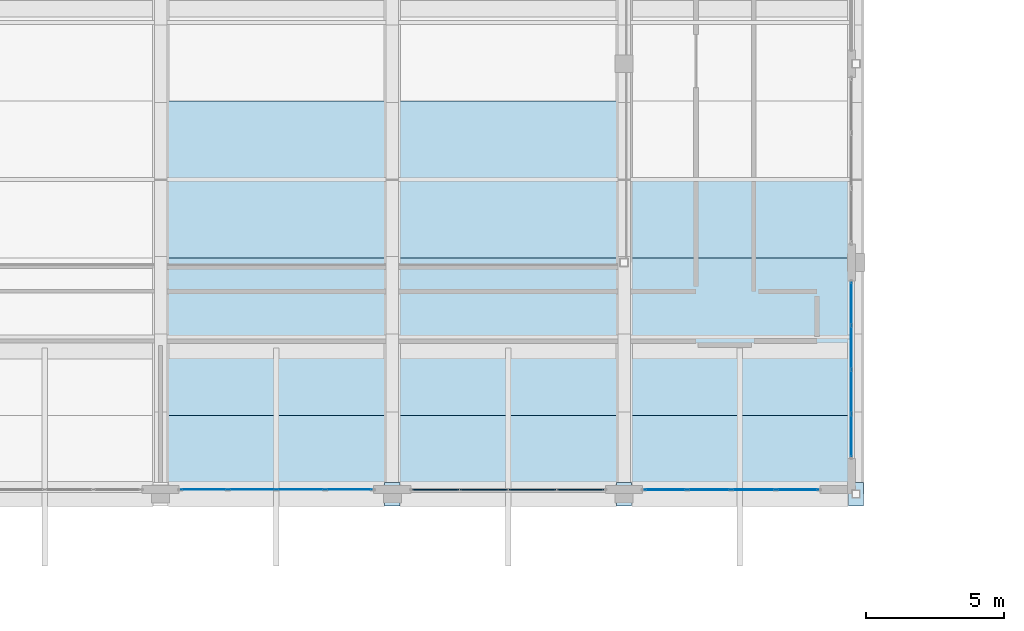
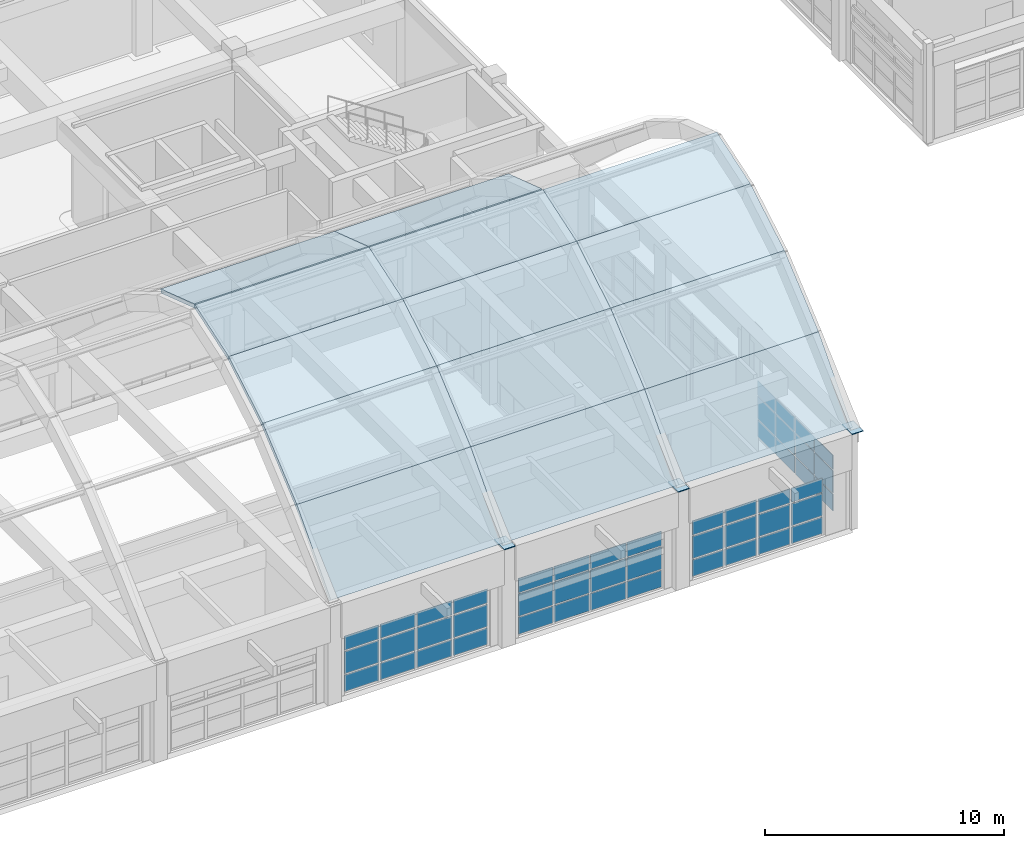
# One storey, part 76 of 103: 51 plates, 14 slabs, 4 elements without a shape of their own.
"""IFC4 building model written with IfcOpenShell, lengths in metres."""

from ifc_helpers import new_model, si_unit, direction, frame, origin, origin_2d, place, context, subcontext, project, spatial, polyline, rectangle, outline, extrude, material, layer, layer_set, type_object, element, aggregate, save


model = new_model("IFC4")

# Units and contexts
model_context = context("Model", 3, precision=1e-05, world=origin(), true_north=direction((0.0, 1.0)))
body_context = subcontext(model_context, "Body", "Model", "MODEL_VIEW")
ifc_project = project(units=[si_unit("LENGTHUNIT", "METRE"), si_unit("AREAUNIT", "SQUARE_METRE"), si_unit("VOLUMEUNIT", "CUBIC_METRE"), si_unit("PLANEANGLEUNIT", "RADIAN"), si_unit("MASSUNIT", "GRAM", prefix="KILO")], contexts=[model_context])

# Site, building, storey
site_placement = place(None, origin())
site = spatial("IfcSite", under=ifc_project, at=site_placement, CompositionType="ELEMENT")
building_placement = place(site_placement, origin())
building = spatial("IfcBuilding", under=site, at=building_placement, Name="Quendrovan Civic Courthouse", CompositionType="ELEMENT")
storey_placement = place(building_placement, frame((0.0, 0.0, 15.300048828125)))
storey = spatial("IfcBuildingStorey", under=building, at=storey_placement, Name="L04", CompositionType="ELEMENT", Elevation=15.300048828125)

# Curtain wall, plates
ifc_material_1 = material(Name="Bronze anodised aluminium and low-E glass", Category="aluminium")
ifc_layer_1 = layer(ifc_material_1, 0.179931640625, Name="Bronze anodised aluminium and low-E glass")
ifc_layer_set_1 = layer_set([ifc_layer_1], Name="Bronze anodised aluminium and low-E glass")
curtain_wall_type_1 = type_object("IfcCurtainWallType", Name="CW-U70x30", PredefinedType="USERDEFINED", material=ifc_layer_set_1)
curtain_wall_1_placement = place(storey_placement, origin())
curtain_wall_1 = element("IfcCurtainWall", 1, at=curtain_wall_1_placement, inside=storey, type_object=curtain_wall_type_1, Name="L04 Unitised Hurricane Curtain Wall CW-160", ObjectType="UNITISED CURTAIN WALL", PredefinedType="USERDEFINED")
ifc_material_2 = material(Name="Laminated hurricane-impact low-E glass", Category="glass")
ifc_layer_2 = layer(ifc_material_2, 0.028076171875, Name="Laminated hurricane-impact low-E glass")
ifc_layer_set_2 = layer_set([ifc_layer_2], Name="Laminated hurricane-impact low-E glass")
plate_type_1 = type_object("IfcPlateType", Name="CW-PNL-1", PredefinedType="CURTAIN_PANEL", material=ifc_layer_set_2)
plate_1_placement = place(storey_placement, frame((74.0263671875, 64.965087890625, 0.06982421875), z_axis=(0.0, 0.0, 1.0), x_axis=(-1.0, 0.0, 0.0)))
plate_1 = element("IfcPlate", 2, at=plate_1_placement, type_object=plate_type_1, Name="CW-160 panel 1.1", PredefinedType="CURTAIN_PANEL", context=body_context, shape_type="SweptSolid", body=[
    extrude(rectangle(XDim=1.657470703125, YDim=0.028076171875, at=origin_2d()), origin(), (0.0, 0.0, 1.0), 0.844970703125),
])
plate_2_placement = place(storey_placement, frame((74.0263671875, 64.965087890625, 0.985107421875), z_axis=(0.0, 0.0, 1.0), x_axis=(-1.0, 0.0, 0.0)))
plate_2 = element("IfcPlate", 3, at=plate_2_placement, type_object=plate_type_1, Name="CW-160 panel 1.2", PredefinedType="CURTAIN_PANEL", context=body_context, shape_type="SweptSolid", body=[
    extrude(rectangle(XDim=1.657470703125, YDim=0.028076171875, at=origin_2d()), origin(), (0.0, 0.0, 1.0), 1.1298828125),
])
plate_3_placement = place(storey_placement, frame((74.0263671875, 64.965087890625, 2.18505859375), z_axis=(0.0, 0.0, 1.0), x_axis=(-1.0, 0.0, 0.0)))
plate_3 = element("IfcPlate", 4, at=plate_3_placement, type_object=plate_type_1, Name="CW-160 panel 1.3", PredefinedType="CURTAIN_PANEL", context=body_context, shape_type="SweptSolid", body=[
    extrude(rectangle(XDim=1.657470703125, YDim=0.028076171875, at=origin_2d()), origin(), (0.0, 0.0, 1.0), 0.715087890625),
])
plate_4_placement = place(storey_placement, frame((72.28125, 64.965087890625, 0.06982421875), z_axis=(0.0, 0.0, 1.0), x_axis=(-1.0, 0.0, 0.0)))
plate_4 = element("IfcPlate", 5, at=plate_4_placement, type_object=plate_type_1, Name="CW-160 panel 2.1", PredefinedType="CURTAIN_PANEL", context=body_context, shape_type="SweptSolid", body=[
    extrude(rectangle(XDim=1.6923828125, YDim=0.028076171875, at=origin_2d()), origin(), (0.0, 0.0, 1.0), 0.844970703125),
])
plate_5_placement = place(storey_placement, frame((72.28125, 64.965087890625, 0.985107421875), z_axis=(0.0, 0.0, 1.0), x_axis=(-1.0, 0.0, 0.0)))
plate_5 = element("IfcPlate", 6, at=plate_5_placement, type_object=plate_type_1, Name="CW-160 panel 2.2", PredefinedType="CURTAIN_PANEL", context=body_context, shape_type="SweptSolid", body=[
    extrude(rectangle(XDim=1.6923828125, YDim=0.028076171875, at=origin_2d()), origin(), (0.0, 0.0, 1.0), 1.1298828125),
])
plate_6_placement = place(storey_placement, frame((72.28125, 64.965087890625, 2.18505859375), z_axis=(0.0, 0.0, 1.0), x_axis=(-1.0, 0.0, 0.0)))
plate_6 = element("IfcPlate", 7, at=plate_6_placement, type_object=plate_type_1, Name="CW-160 panel 2.3", PredefinedType="CURTAIN_PANEL", context=body_context, shape_type="SweptSolid", body=[
    extrude(rectangle(XDim=1.6923828125, YDim=0.028076171875, at=origin_2d()), origin(), (0.0, 0.0, 1.0), 0.715087890625),
])
plate_7_placement = place(storey_placement, frame((70.518798828125, 64.965087890625, 0.06982421875), z_axis=(0.0, 0.0, 1.0), x_axis=(-1.0, 0.0, 0.0)))
plate_7 = element("IfcPlate", 8, at=plate_7_placement, type_object=plate_type_1, Name="CW-160 panel 3.1", PredefinedType="CURTAIN_PANEL", context=body_context, shape_type="SweptSolid", body=[
    extrude(rectangle(XDim=1.6923828125, YDim=0.028076171875, at=origin_2d()), origin(), (0.0, 0.0, 1.0), 0.844970703125),
])
plate_8_placement = place(storey_placement, frame((70.518798828125, 64.965087890625, 0.985107421875), z_axis=(0.0, 0.0, 1.0), x_axis=(-1.0, 0.0, 0.0)))
plate_8 = element("IfcPlate", 9, at=plate_8_placement, type_object=plate_type_1, Name="CW-160 panel 3.2", PredefinedType="CURTAIN_PANEL", context=body_context, shape_type="SweptSolid", body=[
    extrude(rectangle(XDim=1.6923828125, YDim=0.028076171875, at=origin_2d()), origin(), (0.0, 0.0, 1.0), 1.1298828125),
])
plate_9_placement = place(storey_placement, frame((70.518798828125, 64.965087890625, 2.18505859375), z_axis=(0.0, 0.0, 1.0), x_axis=(-1.0, 0.0, 0.0)))
plate_9 = element("IfcPlate", 10, at=plate_9_placement, type_object=plate_type_1, Name="CW-160 panel 3.3", PredefinedType="CURTAIN_PANEL", context=body_context, shape_type="SweptSolid", body=[
    extrude(rectangle(XDim=1.6923828125, YDim=0.028076171875, at=origin_2d()), origin(), (0.0, 0.0, 1.0), 0.715087890625),
])
plate_10_placement = place(storey_placement, frame((68.773681640625, 64.965087890625, 0.06982421875), z_axis=(0.0, 0.0, 1.0), x_axis=(-1.0, 0.0, 0.0)))
plate_10 = element("IfcPlate", 11, at=plate_10_placement, type_object=plate_type_1, Name="CW-160 panel 4.1", PredefinedType="CURTAIN_PANEL", context=body_context, shape_type="SweptSolid", body=[
    extrude(rectangle(XDim=1.657470703125, YDim=0.028076171875, at=origin_2d()), origin(), (0.0, 0.0, 1.0), 0.844970703125),
])
plate_11_placement = place(storey_placement, frame((68.773681640625, 64.965087890625, 0.985107421875), z_axis=(0.0, 0.0, 1.0), x_axis=(-1.0, 0.0, 0.0)))
plate_11 = element("IfcPlate", 12, at=plate_11_placement, type_object=plate_type_1, Name="CW-160 panel 4.2", PredefinedType="CURTAIN_PANEL", context=body_context, shape_type="SweptSolid", body=[
    extrude(rectangle(XDim=1.657470703125, YDim=0.028076171875, at=origin_2d()), origin(), (0.0, 0.0, 1.0), 1.1298828125),
])
plate_12_placement = place(storey_placement, frame((68.773681640625, 64.965087890625, 2.18505859375), z_axis=(0.0, 0.0, 1.0), x_axis=(-1.0, 0.0, 0.0)))
plate_12 = element("IfcPlate", 13, at=plate_12_placement, type_object=plate_type_1, Name="CW-160 panel 4.3", PredefinedType="CURTAIN_PANEL", context=body_context, shape_type="SweptSolid", body=[
    extrude(rectangle(XDim=1.657470703125, YDim=0.028076171875, at=origin_2d()), origin(), (0.0, 0.0, 1.0), 0.715087890625),
])
aggregate(curtain_wall_1, [plate_1, plate_2, plate_3, plate_4, plate_5, plate_6, plate_7, plate_8, plate_9, plate_10, plate_11, plate_12])

ifc_layer_3 = layer(ifc_material_1, 0.179931640625, Name="Bronze anodised aluminium and low-E glass")
ifc_layer_set_3 = layer_set([ifc_layer_3], Name="Bronze anodised aluminium and low-E glass")
curtain_wall_type_2 = type_object("IfcCurtainWallType", Name="CW-U64x30", PredefinedType="USERDEFINED", material=ifc_layer_set_3)
curtain_wall_2_placement = place(storey_placement, origin())
curtain_wall_2 = element("IfcCurtainWall", 14, at=curtain_wall_2_placement, inside=storey, type_object=curtain_wall_type_2, Name="L04 Unitised Hurricane Curtain Wall CW-157", ObjectType="UNITISED CURTAIN WALL", PredefinedType="USERDEFINED")
ifc_layer_4 = layer(ifc_material_2, 0.031982421875, Name="Laminated hurricane-impact low-E glass")
ifc_layer_set_4 = layer_set([ifc_layer_4], Name="Laminated hurricane-impact low-E glass")
plate_type_2 = type_object("IfcPlateType", Name="CW-PNL-2", PredefinedType="CURTAIN_PANEL", material=ifc_layer_set_4)
plate_13_placement = place(storey_placement, frame((92.235107421875, 71.70556640625, 0.06494140625), z_axis=(0.0, 0.0, 1.0), x_axis=(0.0, -1.0, 0.0)))
plate_13 = element("IfcPlate", 15, at=plate_13_placement, type_object=plate_type_2, Name="CW-157 panel 1.1", PredefinedType="CURTAIN_PANEL", context=body_context, shape_type="SweptSolid", body=[
    extrude(rectangle(XDim=1.5087890625, YDim=0.031982421875, at=origin_2d()), origin(), (0.0, 0.0, 1.0), 0.8525390625),
])
plate_14_placement = place(storey_placement, frame((92.235107421875, 71.70556640625, 0.982421875), z_axis=(0.0, 0.0, 1.0), x_axis=(0.0, -1.0, 0.0)))
plate_14 = element("IfcPlate", 16, at=plate_14_placement, type_object=plate_type_2, Name="CW-157 panel 1.2", PredefinedType="CURTAIN_PANEL", context=body_context, shape_type="SweptSolid", body=[
    extrude(rectangle(XDim=1.5087890625, YDim=0.031982421875, at=origin_2d()), origin(), (0.0, 0.0, 1.0), 1.135009765625),
])
plate_15_placement = place(storey_placement, frame((92.235107421875, 71.70556640625, 2.1826171875), z_axis=(0.0, 0.0, 1.0), x_axis=(0.0, -1.0, 0.0)))
plate_15 = element("IfcPlate", 17, at=plate_15_placement, type_object=plate_type_2, Name="CW-157 panel 1.3", PredefinedType="CURTAIN_PANEL", context=body_context, shape_type="SweptSolid", body=[
    extrude(rectangle(XDim=1.5087890625, YDim=0.031982421875, at=origin_2d()), origin(), (0.0, 0.0, 1.0), 0.722412109375),
])
plate_16_placement = place(storey_placement, frame((92.235107421875, 70.11572265625, 0.06494140625), z_axis=(0.0, 0.0, 1.0), x_axis=(0.0, -1.0, 0.0)))
plate_16 = element("IfcPlate", 18, at=plate_16_placement, type_object=plate_type_2, Name="CW-157 panel 2.1", PredefinedType="CURTAIN_PANEL", context=body_context, shape_type="SweptSolid", body=[
    extrude(rectangle(XDim=1.541259765625, YDim=0.031982421875, at=origin_2d()), origin(), (0.0, 0.0, 1.0), 0.8525390625),
])
plate_17_placement = place(storey_placement, frame((92.235107421875, 70.11572265625, 0.982421875), z_axis=(0.0, 0.0, 1.0), x_axis=(0.0, -1.0, 0.0)))
plate_17 = element("IfcPlate", 19, at=plate_17_placement, type_object=plate_type_2, Name="CW-157 panel 2.2", PredefinedType="CURTAIN_PANEL", context=body_context, shape_type="SweptSolid", body=[
    extrude(rectangle(XDim=1.541259765625, YDim=0.031982421875, at=origin_2d()), origin(), (0.0, 0.0, 1.0), 1.135009765625),
])
plate_18_placement = place(storey_placement, frame((92.235107421875, 70.11572265625, 2.1826171875), z_axis=(0.0, 0.0, 1.0), x_axis=(0.0, -1.0, 0.0)))
plate_18 = element("IfcPlate", 20, at=plate_18_placement, type_object=plate_type_2, Name="CW-157 panel 2.3", PredefinedType="CURTAIN_PANEL", context=body_context, shape_type="SweptSolid", body=[
    extrude(rectangle(XDim=1.541259765625, YDim=0.031982421875, at=origin_2d()), origin(), (0.0, 0.0, 1.0), 0.722412109375),
])
plate_19_placement = place(storey_placement, frame((92.235107421875, 68.50927734375, 0.06494140625), z_axis=(0.0, 0.0, 1.0), x_axis=(0.0, -1.0, 0.0)))
plate_19 = element("IfcPlate", 21, at=plate_19_placement, type_object=plate_type_2, Name="CW-157 panel 3.1", PredefinedType="CURTAIN_PANEL", context=body_context, shape_type="SweptSolid", body=[
    extrude(rectangle(XDim=1.541259765625, YDim=0.031982421875, at=origin_2d()), origin(), (0.0, 0.0, 1.0), 0.8525390625),
])
plate_20_placement = place(storey_placement, frame((92.235107421875, 68.50927734375, 0.982421875), z_axis=(0.0, 0.0, 1.0), x_axis=(0.0, -1.0, 0.0)))
plate_20 = element("IfcPlate", 22, at=plate_20_placement, type_object=plate_type_2, Name="CW-157 panel 3.2", PredefinedType="CURTAIN_PANEL", context=body_context, shape_type="SweptSolid", body=[
    extrude(rectangle(XDim=1.541259765625, YDim=0.031982421875, at=origin_2d()), origin(), (0.0, 0.0, 1.0), 1.135009765625),
])
plate_21_placement = place(storey_placement, frame((92.235107421875, 68.50927734375, 2.1826171875), z_axis=(0.0, 0.0, 1.0), x_axis=(0.0, -1.0, 0.0)))
plate_21 = element("IfcPlate", 23, at=plate_21_placement, type_object=plate_type_2, Name="CW-157 panel 3.3", PredefinedType="CURTAIN_PANEL", context=body_context, shape_type="SweptSolid", body=[
    extrude(rectangle(XDim=1.541259765625, YDim=0.031982421875, at=origin_2d()), origin(), (0.0, 0.0, 1.0), 0.722412109375),
])
plate_22_placement = place(storey_placement, frame((92.235107421875, 66.91943359375, 0.06494140625), z_axis=(0.0, 0.0, 1.0), x_axis=(0.0, -1.0, 0.0)))
plate_22 = element("IfcPlate", 24, at=plate_22_placement, type_object=plate_type_2, Name="CW-157 panel 4.1", PredefinedType="CURTAIN_PANEL", context=body_context, shape_type="SweptSolid", body=[
    extrude(rectangle(XDim=1.5087890625, YDim=0.031982421875, at=origin_2d()), origin(), (0.0, 0.0, 1.0), 0.8525390625),
])
plate_23_placement = place(storey_placement, frame((92.235107421875, 66.91943359375, 0.982421875), z_axis=(0.0, 0.0, 1.0), x_axis=(0.0, -1.0, 0.0)))
plate_23 = element("IfcPlate", 25, at=plate_23_placement, type_object=plate_type_2, Name="CW-157 panel 4.2", PredefinedType="CURTAIN_PANEL", context=body_context, shape_type="SweptSolid", body=[
    extrude(rectangle(XDim=1.5087890625, YDim=0.031982421875, at=origin_2d()), origin(), (0.0, 0.0, 1.0), 1.135009765625),
])
plate_24_placement = place(storey_placement, frame((92.235107421875, 66.91943359375, 2.1826171875), z_axis=(0.0, 0.0, 1.0), x_axis=(0.0, -1.0, 0.0)))
plate_24 = element("IfcPlate", 26, at=plate_24_placement, type_object=plate_type_2, Name="CW-157 panel 4.3", PredefinedType="CURTAIN_PANEL", context=body_context, shape_type="SweptSolid", body=[
    extrude(rectangle(XDim=1.5087890625, YDim=0.031982421875, at=origin_2d()), origin(), (0.0, 0.0, 1.0), 0.722412109375),
])
aggregate(curtain_wall_2, [plate_13, plate_14, plate_15, plate_16, plate_17, plate_18, plate_19, plate_20, plate_21, plate_22, plate_23, plate_24])

curtain_wall_3_placement = place(storey_placement, origin())
curtain_wall_3 = element("IfcCurtainWall", 27, at=curtain_wall_3_placement, inside=storey, type_object=curtain_wall_type_2, Name="L04 Unitised Hurricane Curtain Wall CW-158", ObjectType="UNITISED CURTAIN WALL", PredefinedType="USERDEFINED")
ifc_layer_5 = layer(ifc_material_2, 0.035888671875, Name="Laminated hurricane-impact low-E glass")
ifc_layer_set_5 = layer_set([ifc_layer_5], Name="Laminated hurricane-impact low-E glass")
plate_type_3 = type_object("IfcPlateType", Name="CW-PNL-3", PredefinedType="CURTAIN_PANEL", material=ifc_layer_set_5)
plate_25_placement = place(storey_placement, frame((90.279296875, 64.965087890625, 0.06982421875), z_axis=(0.0, 0.0, 1.0), x_axis=(-1.0, 0.0, 0.0)))
plate_25 = element("IfcPlate", 28, at=plate_25_placement, type_object=plate_type_3, Name="CW-158 panel 1.1", PredefinedType="CURTAIN_PANEL", context=body_context, shape_type="SweptSolid", body=[
    extrude(rectangle(XDim=1.501220703125, YDim=0.035888671875, at=origin_2d()), origin(), (0.0, 0.0, 1.0), 0.844970703125),
])
plate_26_placement = place(storey_placement, frame((90.279296875, 64.965087890625, 0.985107421875), z_axis=(0.0, 0.0, 1.0), x_axis=(-1.0, 0.0, 0.0)))
plate_26 = element("IfcPlate", 29, at=plate_26_placement, type_object=plate_type_3, Name="CW-158 panel 1.2", PredefinedType="CURTAIN_PANEL", context=body_context, shape_type="SweptSolid", body=[
    extrude(rectangle(XDim=1.501220703125, YDim=0.035888671875, at=origin_2d()), origin(), (0.0, 0.0, 1.0), 1.1298828125),
])
plate_27_placement = place(storey_placement, frame((90.279296875, 64.965087890625, 2.18505859375), z_axis=(0.0, 0.0, 1.0), x_axis=(-1.0, 0.0, 0.0)))
plate_27 = element("IfcPlate", 30, at=plate_27_placement, type_object=plate_type_3, Name="CW-158 panel 1.3", PredefinedType="CURTAIN_PANEL", context=body_context, shape_type="SweptSolid", body=[
    extrude(rectangle(XDim=1.501220703125, YDim=0.035888671875, at=origin_2d()), origin(), (0.0, 0.0, 1.0), 0.715087890625),
])
plate_28_placement = place(storey_placement, frame((88.690673828125, 64.965087890625, 0.06982421875), z_axis=(0.0, 0.0, 1.0), x_axis=(-1.0, 0.0, 0.0)))
plate_28 = element("IfcPlate", 31, at=plate_28_placement, type_object=plate_type_3, Name="CW-158 panel 2.1", PredefinedType="CURTAIN_PANEL", context=body_context, shape_type="SweptSolid", body=[
    extrude(rectangle(XDim=1.5361328125, YDim=0.035888671875, at=origin_2d()), origin(), (0.0, 0.0, 1.0), 0.844970703125),
])
plate_29_placement = place(storey_placement, frame((88.690673828125, 64.965087890625, 0.985107421875), z_axis=(0.0, 0.0, 1.0), x_axis=(-1.0, 0.0, 0.0)))
plate_29 = element("IfcPlate", 32, at=plate_29_placement, type_object=plate_type_3, Name="CW-158 panel 2.2", PredefinedType="CURTAIN_PANEL", context=body_context, shape_type="SweptSolid", body=[
    extrude(rectangle(XDim=1.5361328125, YDim=0.035888671875, at=origin_2d()), origin(), (0.0, 0.0, 1.0), 1.1298828125),
])
plate_30_placement = place(storey_placement, frame((88.690673828125, 64.965087890625, 2.18505859375), z_axis=(0.0, 0.0, 1.0), x_axis=(-1.0, 0.0, 0.0)))
plate_30 = element("IfcPlate", 33, at=plate_30_placement, type_object=plate_type_3, Name="CW-158 panel 2.3", PredefinedType="CURTAIN_PANEL", context=body_context, shape_type="SweptSolid", body=[
    extrude(rectangle(XDim=1.5361328125, YDim=0.035888671875, at=origin_2d()), origin(), (0.0, 0.0, 1.0), 0.715087890625),
])
plate_31_placement = place(storey_placement, frame((87.08447265625, 64.965087890625, 0.06982421875), z_axis=(0.0, 0.0, 1.0), x_axis=(-1.0, 0.0, 0.0)))
plate_31 = element("IfcPlate", 34, at=plate_31_placement, type_object=plate_type_3, Name="CW-158 panel 3.1", PredefinedType="CURTAIN_PANEL", context=body_context, shape_type="SweptSolid", body=[
    extrude(rectangle(XDim=1.5361328125, YDim=0.035888671875, at=origin_2d()), origin(), (0.0, 0.0, 1.0), 0.844970703125),
])
plate_32_placement = place(storey_placement, frame((87.08447265625, 64.965087890625, 0.985107421875), z_axis=(0.0, 0.0, 1.0), x_axis=(-1.0, 0.0, 0.0)))
plate_32 = element("IfcPlate", 35, at=plate_32_placement, type_object=plate_type_3, Name="CW-158 panel 3.2", PredefinedType="CURTAIN_PANEL", context=body_context, shape_type="SweptSolid", body=[
    extrude(rectangle(XDim=1.5361328125, YDim=0.035888671875, at=origin_2d()), origin(), (0.0, 0.0, 1.0), 1.1298828125),
])
plate_33_placement = place(storey_placement, frame((87.08447265625, 64.965087890625, 2.18505859375), z_axis=(0.0, 0.0, 1.0), x_axis=(-1.0, 0.0, 0.0)))
plate_33 = element("IfcPlate", 36, at=plate_33_placement, type_object=plate_type_3, Name="CW-158 panel 3.3", PredefinedType="CURTAIN_PANEL", context=body_context, shape_type="SweptSolid", body=[
    extrude(rectangle(XDim=1.5361328125, YDim=0.035888671875, at=origin_2d()), origin(), (0.0, 0.0, 1.0), 0.715087890625),
])
plate_34_placement = place(storey_placement, frame((85.49560546875, 64.965087890625, 0.06982421875), z_axis=(0.0, 0.0, 1.0), x_axis=(-1.0, 0.0, 0.0)))
plate_34 = element("IfcPlate", 37, at=plate_34_placement, type_object=plate_type_3, Name="CW-158 panel 4.1", PredefinedType="CURTAIN_PANEL", context=body_context, shape_type="SweptSolid", body=[
    extrude(rectangle(XDim=1.501220703125, YDim=0.035888671875, at=origin_2d()), origin(), (0.0, 0.0, 1.0), 0.844970703125),
])
plate_35_placement = place(storey_placement, frame((85.49560546875, 64.965087890625, 0.985107421875), z_axis=(0.0, 0.0, 1.0), x_axis=(-1.0, 0.0, 0.0)))
plate_35 = element("IfcPlate", 38, at=plate_35_placement, type_object=plate_type_3, Name="CW-158 panel 4.2", PredefinedType="CURTAIN_PANEL", context=body_context, shape_type="SweptSolid", body=[
    extrude(rectangle(XDim=1.501220703125, YDim=0.035888671875, at=origin_2d()), origin(), (0.0, 0.0, 1.0), 1.1298828125),
])
plate_36_placement = place(storey_placement, frame((85.49560546875, 64.965087890625, 2.18505859375), z_axis=(0.0, 0.0, 1.0), x_axis=(-1.0, 0.0, 0.0)))
plate_36 = element("IfcPlate", 39, at=plate_36_placement, type_object=plate_type_3, Name="CW-158 panel 4.3", PredefinedType="CURTAIN_PANEL", context=body_context, shape_type="SweptSolid", body=[
    extrude(rectangle(XDim=1.501220703125, YDim=0.035888671875, at=origin_2d()), origin(), (0.0, 0.0, 1.0), 0.715087890625),
])
aggregate(curtain_wall_3, [plate_25, plate_26, plate_27, plate_28, plate_29, plate_30, plate_31, plate_32, plate_33, plate_34, plate_35, plate_36])

curtain_wall_4_placement = place(storey_placement, origin())
curtain_wall_4 = element("IfcCurtainWall", 40, at=curtain_wall_4_placement, inside=storey, type_object=curtain_wall_type_1, Name="L04 Unitised Hurricane Curtain Wall CW-159", ObjectType="UNITISED CURTAIN WALL", PredefinedType="USERDEFINED")
ifc_layer_6 = layer(ifc_material_2, 0.0419921875, Name="Laminated hurricane-impact low-E glass")
ifc_layer_set_6 = layer_set([ifc_layer_6], Name="Laminated hurricane-impact low-E glass")
plate_type_4 = type_object("IfcPlateType", Name="CW-PNL-4", PredefinedType="CURTAIN_PANEL", material=ifc_layer_set_6)
plate_37_placement = place(storey_placement, frame((82.427490234375, 64.965087890625, 0.06494140625), z_axis=(0.0, 0.0, 1.0), x_axis=(-1.0, 0.0, 0.0)))
plate_37 = element("IfcPlate", 41, at=plate_37_placement, type_object=plate_type_4, Name="CW-159 panel 1.1", PredefinedType="CURTAIN_PANEL", context=body_context, shape_type="SweptSolid", body=[
    extrude(rectangle(XDim=1.6650390625, YDim=0.0419921875, at=origin_2d()), origin(), (0.0, 0.0, 1.0), 0.8525390625),
])
plate_38_placement = place(storey_placement, frame((82.427490234375, 64.965087890625, 0.982421875), z_axis=(0.0, 0.0, 1.0), x_axis=(-1.0, 0.0, 0.0)))
plate_38 = element("IfcPlate", 42, at=plate_38_placement, type_object=plate_type_4, Name="CW-159 panel 1.2", PredefinedType="CURTAIN_PANEL", context=body_context, shape_type="SweptSolid", body=[
    extrude(rectangle(XDim=1.6650390625, YDim=0.0419921875, at=origin_2d()), origin(), (0.0, 0.0, 1.0), 1.135009765625),
])
plate_39_placement = place(storey_placement, frame((82.427490234375, 64.965087890625, 2.1826171875), z_axis=(0.0, 0.0, 1.0), x_axis=(-1.0, 0.0, 0.0)))
plate_39 = element("IfcPlate", 43, at=plate_39_placement, type_object=plate_type_4, Name="CW-159 panel 1.3", PredefinedType="CURTAIN_PANEL", context=body_context, shape_type="SweptSolid", body=[
    extrude(rectangle(XDim=1.6650390625, YDim=0.0419921875, at=origin_2d()), origin(), (0.0, 0.0, 1.0), 0.722412109375),
])
plate_40_placement = place(storey_placement, frame((80.68115234375, 64.965087890625, 0.06494140625), z_axis=(0.0, 0.0, 1.0), x_axis=(-1.0, 0.0, 0.0)))
plate_40 = element("IfcPlate", 44, at=plate_40_placement, type_object=plate_type_4, Name="CW-159 panel 2.1", PredefinedType="CURTAIN_PANEL", context=body_context, shape_type="SweptSolid", body=[
    extrude(rectangle(XDim=1.697509765625, YDim=0.0419921875, at=origin_2d()), origin(), (0.0, 0.0, 1.0), 0.8525390625),
])
plate_41_placement = place(storey_placement, frame((80.68115234375, 64.965087890625, 0.982421875), z_axis=(0.0, 0.0, 1.0), x_axis=(-1.0, 0.0, 0.0)))
plate_41 = element("IfcPlate", 45, at=plate_41_placement, type_object=plate_type_4, Name="CW-159 panel 2.2", PredefinedType="CURTAIN_PANEL", context=body_context, shape_type="SweptSolid", body=[
    extrude(rectangle(XDim=1.697509765625, YDim=0.0419921875, at=origin_2d()), origin(), (0.0, 0.0, 1.0), 1.135009765625),
])
plate_42_placement = place(storey_placement, frame((80.68115234375, 64.965087890625, 2.1826171875), z_axis=(0.0, 0.0, 1.0), x_axis=(-1.0, 0.0, 0.0)))
plate_42 = element("IfcPlate", 46, at=plate_42_placement, type_object=plate_type_4, Name="CW-159 panel 2.3", PredefinedType="CURTAIN_PANEL", context=body_context, shape_type="SweptSolid", body=[
    extrude(rectangle(XDim=1.697509765625, YDim=0.0419921875, at=origin_2d()), origin(), (0.0, 0.0, 1.0), 0.722412109375),
])
plate_43_placement = place(storey_placement, frame((78.918701171875, 64.965087890625, 0.06494140625), z_axis=(0.0, 0.0, 1.0), x_axis=(-1.0, 0.0, 0.0)))
plate_43 = element("IfcPlate", 47, at=plate_43_placement, type_object=plate_type_4, Name="CW-159 panel 3.1", PredefinedType="CURTAIN_PANEL", context=body_context, shape_type="SweptSolid", body=[
    extrude(rectangle(XDim=1.697509765625, YDim=0.0419921875, at=origin_2d()), origin(), (0.0, 0.0, 1.0), 0.8525390625),
])
plate_44_placement = place(storey_placement, frame((78.918701171875, 64.965087890625, 0.982421875), z_axis=(0.0, 0.0, 1.0), x_axis=(-1.0, 0.0, 0.0)))
plate_44 = element("IfcPlate", 48, at=plate_44_placement, type_object=plate_type_4, Name="CW-159 panel 3.2", PredefinedType="CURTAIN_PANEL", context=body_context, shape_type="SweptSolid", body=[
    extrude(rectangle(XDim=1.697509765625, YDim=0.0419921875, at=origin_2d()), origin(), (0.0, 0.0, 1.0), 1.135009765625),
])
plate_45_placement = place(storey_placement, frame((78.918701171875, 64.965087890625, 2.1826171875), z_axis=(0.0, 0.0, 1.0), x_axis=(-1.0, 0.0, 0.0)))
plate_45 = element("IfcPlate", 49, at=plate_45_placement, type_object=plate_type_4, Name="CW-159 panel 3.3", PredefinedType="CURTAIN_PANEL", context=body_context, shape_type="SweptSolid", body=[
    extrude(rectangle(XDim=1.697509765625, YDim=0.0419921875, at=origin_2d()), origin(), (0.0, 0.0, 1.0), 0.722412109375),
])
plate_46_placement = place(storey_placement, frame((77.172607421875, 64.965087890625, 0.06494140625), z_axis=(0.0, 0.0, 1.0), x_axis=(-1.0, 0.0, 0.0)))
plate_46 = element("IfcPlate", 50, at=plate_46_placement, type_object=plate_type_4, Name="CW-159 panel 4.1", PredefinedType="CURTAIN_PANEL", context=body_context, shape_type="SweptSolid", body=[
    extrude(rectangle(XDim=1.6650390625, YDim=0.0419921875, at=origin_2d()), origin(), (0.0, 0.0, 1.0), 0.8525390625),
])
plate_47_placement = place(storey_placement, frame((77.172607421875, 64.965087890625, 0.982421875), z_axis=(0.0, 0.0, 1.0), x_axis=(-1.0, 0.0, 0.0)))
plate_47 = element("IfcPlate", 51, at=plate_47_placement, type_object=plate_type_4, Name="CW-159 panel 4.2", PredefinedType="CURTAIN_PANEL", context=body_context, shape_type="SweptSolid", body=[
    extrude(rectangle(XDim=1.6650390625, YDim=0.0419921875, at=origin_2d()), origin(), (0.0, 0.0, 1.0), 1.135009765625),
])
plate_48_placement = place(storey_placement, frame((77.172607421875, 64.965087890625, 2.1826171875), z_axis=(0.0, 0.0, 1.0), x_axis=(-1.0, 0.0, 0.0)))
plate_48 = element("IfcPlate", 52, at=plate_48_placement, type_object=plate_type_4, Name="CW-159 panel 4.3", PredefinedType="CURTAIN_PANEL", context=body_context, shape_type="SweptSolid", body=[
    extrude(rectangle(XDim=1.6650390625, YDim=0.0419921875, at=origin_2d()), origin(), (0.0, 0.0, 1.0), 0.722412109375),
])
aggregate(curtain_wall_4, [plate_37, plate_38, plate_39, plate_40, plate_41, plate_42, plate_43, plate_44, plate_45, plate_46, plate_47, plate_48])

# Plates
ifc_material_3 = material(Name="Steel ASTM A572 Grade 50", Category="steel")
ifc_layer_7 = layer(ifc_material_3, 0.0400390625, Name="Steel ASTM A572 Grade 50")
ifc_layer_set_7 = layer_set([ifc_layer_7], Name="Steel ASTM A572 Grade 50")
plate_type_5 = type_object("IfcPlateType", Name="PLT-BASE-40", PredefinedType="USERDEFINED", material=ifc_layer_set_7)
for number, where, z_axis, x_axis, name in (
    (53, (75.60009765625, 64.800048828125, 5.059814453125), (0.0, 0.0, 1.0), (1.0, 0.0, 0.0), "BV2 Vault Springing Bearing Plate A6-S"),
    (54, (84.0, 64.800048828125, 5.059814453125), (0.0, 0.0, 1.0), (1.0, 0.0, 0.0), "BV2 Vault Springing Bearing Plate A7-S"),
    (55, (92.39990234375, 64.800048828125, 5.059814453125), (0.0, 0.0, 1.0), (1.0, 0.0, 0.0), "BV2 Vault Springing Bearing Plate A8-S"),
):
    element("IfcPlate", number, at=place(storey_placement, frame(where, z_axis=z_axis, x_axis=x_axis)), inside=storey, type_object=plate_type_5, Name=name, ObjectType="BASE PLATE", PredefinedType="USERDEFINED", context=body_context, shape_type="SweptSolid", body=[
        extrude(rectangle(XDim=0.550048828125, YDim=0.85009765625, at=origin_2d()), origin(), (0.0, 0.0, 1.0), 0.0400390625),
    ])

# Slabs
ifc_material_4 = material(Name="Concrete C40/50", Category="concrete")
ifc_layer_8 = layer(ifc_material_4, 0.199951171875, Name="Concrete C40/50")
ifc_layer_set_8 = layer_set([ifc_layer_8], Name="Concrete C40/50")
slab_type = type_object("IfcSlabType", Name="SLB-VAULT-200", PredefinedType="ROOF", material=ifc_layer_set_8)
slab_1_placement = place(storey_placement, frame((67.199951171875, 64.800048828125, 5.099853515625), z_axis=(0.0, -0.742291438004, 0.670077175456), x_axis=(1.0, 0.0, 0.0)))
element("IfcSlab", 56, at=slab_1_placement, inside=storey, type_object=slab_type, Name="BV2 Concrete Barrel Vault Shell Panel B5-C1", PredefinedType="ROOF", context=body_context, shape_type="SweptSolid", body=[
    extrude(outline(polyline([(0.0, 0.0), (8.400146484375, 0.0), (8.400146484375, 4.253022815897878), (0.0, 4.253022815897878), (0.0, 0.0)])), origin(), (0.0, 0.0, -1.0), 0.199951171875),
])
slab_2_placement = place(storey_placement, frame((67.199951171875, 67.64990234375, 8.2568359375), z_axis=(0.0, -0.647121264214, 0.762387086329), x_axis=(1.0, 0.0, 0.0)))
element("IfcSlab", 57, at=slab_2_placement, inside=storey, type_object=slab_type, Name="BV2 Concrete Barrel Vault Shell Panel B5-C2", PredefinedType="ROOF", context=body_context, shape_type="SweptSolid", body=[
    extrude(outline(polyline([(0.0, 0.0), (8.400146484375, 0.0), (8.400146484375, 3.7383865851825675), (0.0, 3.7383865851825675), (0.0, 0.0)])), origin(), (0.0, 0.0, -1.0), 0.199951171875),
])
slab_3_placement = place(storey_placement, frame((67.199951171875, 70.5, 10.676025390625), z_axis=(0.0, -0.508003267889, 0.861355141515), x_axis=(1.0, 0.0, 0.0)))
element("IfcSlab", 58, at=slab_3_placement, inside=storey, type_object=slab_type, Name="BV2 Concrete Barrel Vault Shell Panel B5-C3", PredefinedType="ROOF", context=body_context, shape_type="SweptSolid", body=[
    extrude(outline(polyline([(0.0, 0.0), (8.400146484375, 0.0), (8.400146484375, 3.308853130239337), (0.0, 3.308853130239337), (0.0, 0.0)])), origin(), (0.0, 0.0, -1.0), 0.199951171875),
])
for number, where, z_axis, x_axis, name in (
    (59, (67.199951171875, 73.35009765625, 12.35693359375), (0.0, -0.315536366073, 0.948913484826), (1.0, 0.0, 0.0), "BV2 Concrete Barrel Vault Shell Panel B5-C4"),
    (60, (67.199951171875, 76.235107421875, 13.29296875), (0.0, 0.315536366073, 0.948913484826), (1.0, 0.0, 0.0), "BV2 Concrete Barrel Vault Shell Panel B5-C5"),
):
    element("IfcSlab", number, at=place(storey_placement, frame(where, z_axis=z_axis, x_axis=x_axis)), inside=storey, type_object=slab_type, Name=name, PredefinedType="ROOF", context=body_context, shape_type="SweptSolid", body=[
        extrude(outline(polyline([(0.0, 0.0), (8.400146484375, 0.0), (8.400146484375, 2.966488991106606), (0.0, 2.966488991106606), (0.0, 0.0)])), origin(), (0.0, 0.0, -1.0), 0.199951171875),
    ])
slab_4_placement = place(storey_placement, frame((75.60009765625, 64.800048828125, 5.099853515625), z_axis=(0.0, -0.742291438004, 0.670077175456), x_axis=(1.0, 0.0, 0.0)))
element("IfcSlab", 61, at=slab_4_placement, inside=storey, type_object=slab_type, Name="BV2 Concrete Barrel Vault Shell Panel B6-C1", PredefinedType="ROOF", context=body_context, shape_type="SweptSolid", body=[
    extrude(outline(polyline([(0.0, 0.0), (8.39990234375, 0.0), (8.39990234375, 4.253022815897878), (0.0, 4.253022815897878), (0.0, 0.0)])), origin(), (0.0, 0.0, -1.0), 0.199951171875),
])
slab_5_placement = place(storey_placement, frame((75.60009765625, 67.64990234375, 8.2568359375), z_axis=(0.0, -0.647121264214, 0.762387086329), x_axis=(1.0, 0.0, 0.0)))
element("IfcSlab", 62, at=slab_5_placement, inside=storey, type_object=slab_type, Name="BV2 Concrete Barrel Vault Shell Panel B6-C2", PredefinedType="ROOF", context=body_context, shape_type="SweptSolid", body=[
    extrude(outline(polyline([(0.0, 0.0), (8.39990234375, 0.0), (8.39990234375, 3.7383865851825675), (0.0, 3.7383865851825675), (0.0, 0.0)])), origin(), (0.0, 0.0, -1.0), 0.199951171875),
])
slab_6_placement = place(storey_placement, frame((75.60009765625, 70.5, 10.676025390625), z_axis=(0.0, -0.508003267889, 0.861355141515), x_axis=(1.0, 0.0, 0.0)))
element("IfcSlab", 63, at=slab_6_placement, inside=storey, type_object=slab_type, Name="BV2 Concrete Barrel Vault Shell Panel B6-C3", PredefinedType="ROOF", context=body_context, shape_type="SweptSolid", body=[
    extrude(outline(polyline([(0.0, 0.0), (8.39990234375, 0.0), (8.39990234375, 3.3088531302393376), (0.0, 3.3088531302393376), (0.0, 0.0)])), origin(), (0.0, 0.0, -1.0), 0.199951171875),
])
for number, where, z_axis, x_axis, name in (
    (64, (75.60009765625, 73.35009765625, 12.35693359375), (0.0, -0.315536366073, 0.948913484826), (1.0, 0.0, 0.0), "BV2 Concrete Barrel Vault Shell Panel B6-C4"),
    (65, (75.60009765625, 76.235107421875, 13.29296875), (0.0, 0.315536366073, 0.948913484826), (1.0, 0.0, 0.0), "BV2 Concrete Barrel Vault Shell Panel B6-C5"),
):
    element("IfcSlab", number, at=place(storey_placement, frame(where, z_axis=z_axis, x_axis=x_axis)), inside=storey, type_object=slab_type, Name=name, PredefinedType="ROOF", context=body_context, shape_type="SweptSolid", body=[
        extrude(outline(polyline([(0.0, 0.0), (8.39990234375, 0.0), (8.39990234375, 2.9664889911066066), (0.0, 2.9664889911066066), (0.0, 0.0)])), origin(), (0.0, 0.0, -1.0), 0.199951171875),
    ])
slab_7_placement = place(storey_placement, frame((84.0, 64.800048828125, 5.099853515625), z_axis=(0.0, -0.742291438004, 0.670077175456), x_axis=(1.0, 0.0, 0.0)))
element("IfcSlab", 66, at=slab_7_placement, inside=storey, type_object=slab_type, Name="BV2 Concrete Barrel Vault Shell Panel B7-C1", PredefinedType="ROOF", context=body_context, shape_type="SweptSolid", body=[
    extrude(outline(polyline([(0.0, 0.0), (8.39990234375, 0.0), (8.39990234375, 4.253022815897878), (0.0, 4.253022815897878), (0.0, 0.0)])), origin(), (0.0, 0.0, -1.0), 0.199951171875),
])
slab_8_placement = place(storey_placement, frame((84.0, 67.64990234375, 8.2568359375), z_axis=(0.0, -0.647121264214, 0.762387086329), x_axis=(1.0, 0.0, 0.0)))
element("IfcSlab", 67, at=slab_8_placement, inside=storey, type_object=slab_type, Name="BV2 Concrete Barrel Vault Shell Panel B7-C2", PredefinedType="ROOF", context=body_context, shape_type="SweptSolid", body=[
    extrude(outline(polyline([(0.0, 0.0), (8.39990234375, 0.0), (8.39990234375, 3.7383865851825675), (0.0, 3.7383865851825675), (0.0, 0.0)])), origin(), (0.0, 0.0, -1.0), 0.199951171875),
])
slab_9_placement = place(storey_placement, frame((84.0, 70.5, 10.676025390625), z_axis=(0.0, -0.508003267889, 0.861355141515), x_axis=(1.0, 0.0, 0.0)))
element("IfcSlab", 68, at=slab_9_placement, inside=storey, type_object=slab_type, Name="BV2 Concrete Barrel Vault Shell Panel B7-C3", PredefinedType="ROOF", context=body_context, shape_type="SweptSolid", body=[
    extrude(outline(polyline([(0.0, 0.0), (8.39990234375, 0.0), (8.39990234375, 3.3088531302393376), (0.0, 3.3088531302393376), (0.0, 0.0)])), origin(), (0.0, 0.0, -1.0), 0.199951171875),
])
slab_10_placement = place(storey_placement, frame((84.0, 73.35009765625, 12.35693359375), z_axis=(0.0, -0.315536366073, 0.948913484826), x_axis=(1.0, 0.0, 0.0)))
element("IfcSlab", 69, at=slab_10_placement, inside=storey, type_object=slab_type, Name="BV2 Concrete Barrel Vault Shell Panel B7-C4", PredefinedType="ROOF", context=body_context, shape_type="SweptSolid", body=[
    extrude(outline(polyline([(0.0, 0.0), (8.39990234375, 0.0), (8.39990234375, 2.9664889911066066), (0.0, 2.9664889911066066), (0.0, 0.0)])), origin(), (0.0, 0.0, -1.0), 0.199951171875),
])

save(model, "model.ifc")
